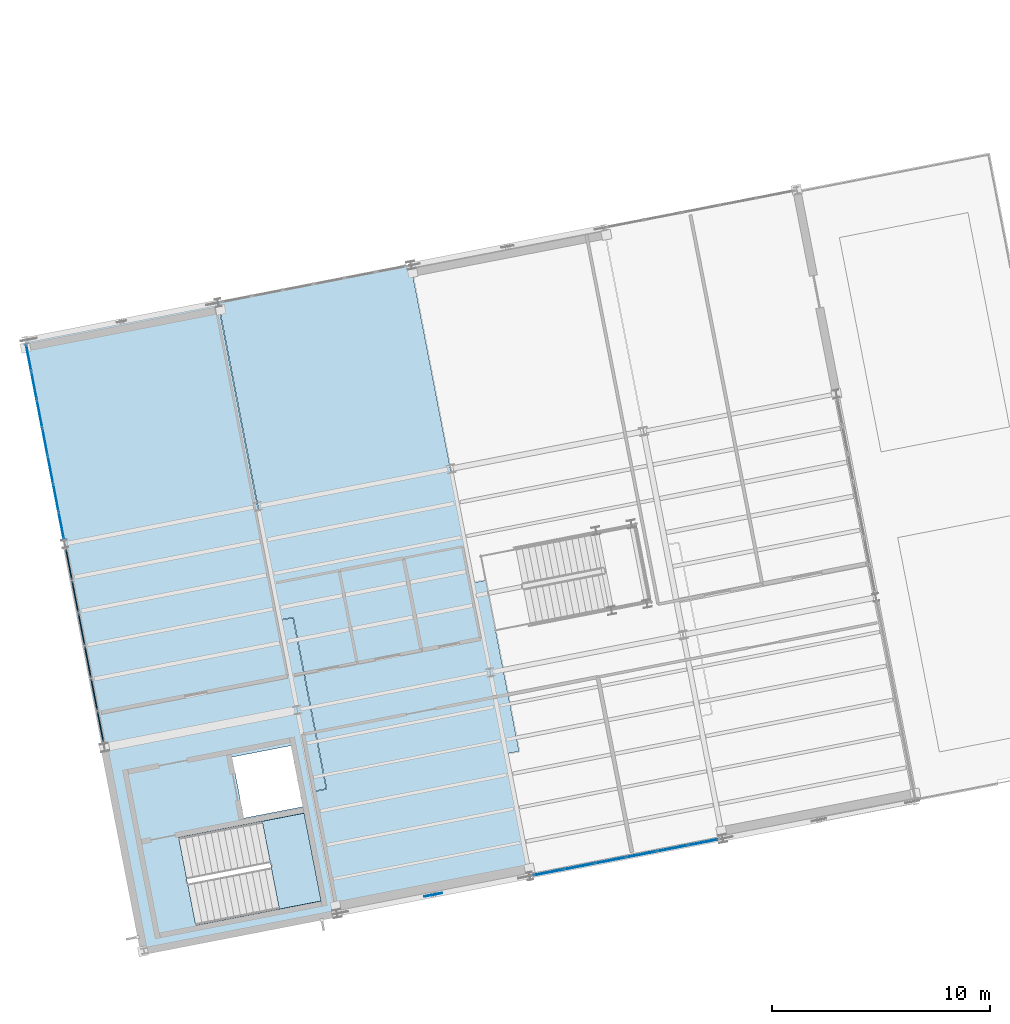
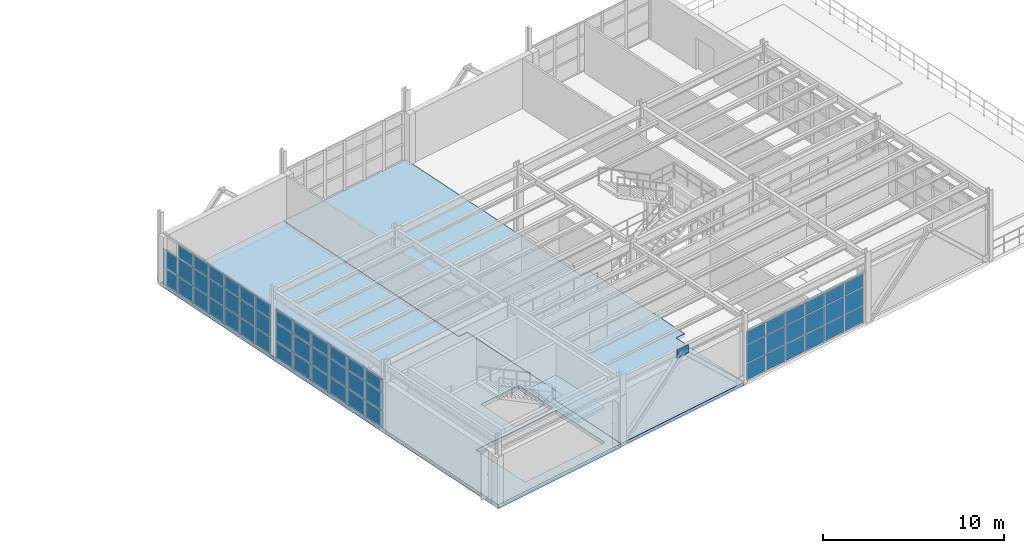
# One storey, part 64 of 109: 57 plates, 3 slabs, 4 elements without a shape of their own.
"""IFC4 building model written with IfcOpenShell, lengths in metres."""

from ifc_helpers import new_model, si_unit, direction, frame, origin, origin_2d, place, context, subcontext, project, spatial, polyline, rectangle, outline, extrude, material, layer, layer_set, type_object, element, aggregate, save


model = new_model("IFC4")

# Units and contexts
model_context = context("Model", 3, precision=1e-05, world=origin(), true_north=direction((0.0, 1.0)))
body_context = subcontext(model_context, "Body", "Model", "MODEL_VIEW")
ifc_project = project(units=[si_unit("LENGTHUNIT", "METRE"), si_unit("AREAUNIT", "SQUARE_METRE"), si_unit("VOLUMEUNIT", "CUBIC_METRE"), si_unit("PLANEANGLEUNIT", "RADIAN"), si_unit("MASSUNIT", "GRAM", prefix="KILO")], contexts=[model_context])

# Site, building, storey
site_placement = place(None, origin())
site = spatial("IfcSite", under=ifc_project, at=site_placement, CompositionType="ELEMENT")
building_placement = place(site_placement, origin())
building = spatial("IfcBuilding", under=site, at=building_placement, Name="Vireo Bluff Cable Station", CompositionType="ELEMENT")
storey_placement = place(building_placement, frame((0.0, 0.0, 4.800048828125)))
storey = spatial("IfcBuildingStorey", under=building, at=storey_placement, Name="L01", CompositionType="ELEMENT", Elevation=4.800048828125)

# Curtain wall, plates
ifc_material_1 = material(Name="Anodized Aluminium 6063-T6", Category="aluminium")
ifc_layer_1 = layer(ifc_material_1, 0.179931640625, Name="Anodized Aluminium 6063-T6")
ifc_layer_set_1 = layer_set([ifc_layer_1], Name="Anodized Aluminium 6063-T6")
curtain_wall_type_1 = type_object("IfcCurtainWallType", Name="CW-UNIT-1400", PredefinedType="USERDEFINED", material=ifc_layer_set_1)
curtain_wall_1_placement = place(storey_placement, origin())
curtain_wall_1 = element("IfcCurtainWall", 1, at=curtain_wall_1_placement, inside=storey, type_object=curtain_wall_type_1, Name="V5 L01 west curtain wall CW-120", ObjectType="UNITISED CURTAIN WALL", PredefinedType="USERDEFINED")
ifc_material_2 = material(Name="Laminated Low-E Insulated Glass", Category="glass")
ifc_layer_2 = layer(ifc_material_2, 0.028076171875, Name="Laminated Low-E Insulated Glass")
ifc_layer_set_2 = layer_set([ifc_layer_2], Name="Laminated Low-E Insulated Glass")
plate_type_1 = type_object("IfcPlateType", Name="CWP-28-1", PredefinedType="CURTAIN_PANEL", material=ifc_layer_set_2)
plate_1_placement = place(storey_placement, frame((5.711669921875, 24.9892578125, 0.06494140625), z_axis=(0.0, 0.0, 1.0), x_axis=(-0.190808999917, 0.981627182565, 0.0)))
plate_1 = element("IfcPlate", 2, at=plate_1_placement, type_object=plate_type_1, Name="CW-120 panel 1.1", PredefinedType="CURTAIN_PANEL", context=body_context, shape_type="SweptSolid", body=[
    extrude(rectangle(XDim=1.2109375, YDim=0.028076171875, at=origin_2d()), origin(), (0.0, 0.0, 1.0), 1.092529296875),
])
plate_2_placement = place(storey_placement, frame((5.711669921875, 24.9892578125, 1.22216796875), z_axis=(0.0, 0.0, 1.0), x_axis=(-0.190808999917, 0.981627182565, 0.0)))
plate_2 = element("IfcPlate", 3, at=plate_2_placement, type_object=plate_type_1, Name="CW-120 panel 1.2", PredefinedType="CURTAIN_PANEL", context=body_context, shape_type="SweptSolid", body=[
    extrude(rectangle(XDim=1.2109375, YDim=0.028076171875, at=origin_2d()), origin(), (0.0, 0.0, 1.0), 1.193115234375),
])
plate_3_placement = place(storey_placement, frame((5.711669921875, 24.9892578125, 2.48046875), z_axis=(0.0, 0.0, 1.0), x_axis=(-0.190808999917, 0.981627182565, 0.0)))
plate_3 = element("IfcPlate", 4, at=plate_3_placement, type_object=plate_type_1, Name="CW-120 panel 1.3", PredefinedType="CURTAIN_PANEL", context=body_context, shape_type="SweptSolid", body=[
    extrude(rectangle(XDim=1.2109375, YDim=0.028076171875, at=origin_2d()), origin(), (0.0, 0.0, 1.0), 0.8544921875),
])
plate_4_placement = place(storey_placement, frame((5.465087890625, 26.2578125, 0.06494140625), z_axis=(0.0, 0.0, 1.0), x_axis=(-0.190808999917, 0.981627182565, 0.0)))
plate_4 = element("IfcPlate", 5, at=plate_4_placement, type_object=plate_type_1, Name="CW-120 panel 2.1", PredefinedType="CURTAIN_PANEL", context=body_context, shape_type="SweptSolid", body=[
    extrude(rectangle(XDim=1.243408203125, YDim=0.028076171875, at=origin_2d()), origin(), (0.0, 0.0, 1.0), 1.092529296875),
])
plate_5_placement = place(storey_placement, frame((5.465087890625, 26.2578125, 1.22216796875), z_axis=(0.0, 0.0, 1.0), x_axis=(-0.190808999917, 0.981627182565, 0.0)))
plate_5 = element("IfcPlate", 6, at=plate_5_placement, type_object=plate_type_1, Name="CW-120 panel 2.2", PredefinedType="CURTAIN_PANEL", context=body_context, shape_type="SweptSolid", body=[
    extrude(rectangle(XDim=1.243408203125, YDim=0.028076171875, at=origin_2d()), origin(), (0.0, 0.0, 1.0), 1.193115234375),
])
plate_6_placement = place(storey_placement, frame((5.465087890625, 26.2578125, 2.48046875), z_axis=(0.0, 0.0, 1.0), x_axis=(-0.190808999917, 0.981627182565, 0.0)))
plate_6 = element("IfcPlate", 7, at=plate_6_placement, type_object=plate_type_1, Name="CW-120 panel 2.3", PredefinedType="CURTAIN_PANEL", context=body_context, shape_type="SweptSolid", body=[
    extrude(rectangle(XDim=1.243408203125, YDim=0.028076171875, at=origin_2d()), origin(), (0.0, 0.0, 1.0), 0.8544921875),
])
plate_7_placement = place(storey_placement, frame((5.21533203125, 27.542236328125, 0.06494140625), z_axis=(0.0, 0.0, 1.0), x_axis=(-0.190808999917, 0.981627182565, 0.0)))
plate_7 = element("IfcPlate", 8, at=plate_7_placement, type_object=plate_type_1, Name="CW-120 panel 3.1", PredefinedType="CURTAIN_PANEL", context=body_context, shape_type="SweptSolid", body=[
    extrude(rectangle(XDim=1.243408203125, YDim=0.028076171875, at=origin_2d()), origin(), (0.0, 0.0, 1.0), 1.092529296875),
])
plate_8_placement = place(storey_placement, frame((5.21533203125, 27.542236328125, 1.22216796875), z_axis=(0.0, 0.0, 1.0), x_axis=(-0.190808999917, 0.981627182565, 0.0)))
plate_8 = element("IfcPlate", 9, at=plate_8_placement, type_object=plate_type_1, Name="CW-120 panel 3.2", PredefinedType="CURTAIN_PANEL", context=body_context, shape_type="SweptSolid", body=[
    extrude(rectangle(XDim=1.243408203125, YDim=0.028076171875, at=origin_2d()), origin(), (0.0, 0.0, 1.0), 1.193115234375),
])
plate_9_placement = place(storey_placement, frame((5.21533203125, 27.542236328125, 2.48046875), z_axis=(0.0, 0.0, 1.0), x_axis=(-0.190808999917, 0.981627182565, 0.0)))
plate_9 = element("IfcPlate", 10, at=plate_9_placement, type_object=plate_type_1, Name="CW-120 panel 3.3", PredefinedType="CURTAIN_PANEL", context=body_context, shape_type="SweptSolid", body=[
    extrude(rectangle(XDim=1.243408203125, YDim=0.028076171875, at=origin_2d()), origin(), (0.0, 0.0, 1.0), 0.8544921875),
])
plate_10_placement = place(storey_placement, frame((4.9658203125, 28.82666015625, 0.06494140625), z_axis=(0.0, 0.0, 1.0), x_axis=(-0.190808999917, 0.981627182565, 0.0)))
plate_10 = element("IfcPlate", 11, at=plate_10_placement, type_object=plate_type_1, Name="CW-120 panel 4.1", PredefinedType="CURTAIN_PANEL", context=body_context, shape_type="SweptSolid", body=[
    extrude(rectangle(XDim=1.243408203125, YDim=0.028076171875, at=origin_2d()), origin(), (0.0, 0.0, 1.0), 1.092529296875),
])
plate_11_placement = place(storey_placement, frame((4.9658203125, 28.82666015625, 1.22216796875), z_axis=(0.0, 0.0, 1.0), x_axis=(-0.190808999917, 0.981627182565, 0.0)))
plate_11 = element("IfcPlate", 12, at=plate_11_placement, type_object=plate_type_1, Name="CW-120 panel 4.2", PredefinedType="CURTAIN_PANEL", context=body_context, shape_type="SweptSolid", body=[
    extrude(rectangle(XDim=1.243408203125, YDim=0.028076171875, at=origin_2d()), origin(), (0.0, 0.0, 1.0), 1.193115234375),
])
plate_12_placement = place(storey_placement, frame((4.9658203125, 28.82666015625, 2.48046875), z_axis=(0.0, 0.0, 1.0), x_axis=(-0.190808999917, 0.981627182565, 0.0)))
plate_12 = element("IfcPlate", 13, at=plate_12_placement, type_object=plate_type_1, Name="CW-120 panel 4.3", PredefinedType="CURTAIN_PANEL", context=body_context, shape_type="SweptSolid", body=[
    extrude(rectangle(XDim=1.243408203125, YDim=0.028076171875, at=origin_2d()), origin(), (0.0, 0.0, 1.0), 0.8544921875),
])
plate_13_placement = place(storey_placement, frame((4.716064453125, 30.111083984375, 0.06494140625), z_axis=(0.0, 0.0, 1.0), x_axis=(-0.190808999917, 0.981627182565, 0.0)))
plate_13 = element("IfcPlate", 14, at=plate_13_placement, type_object=plate_type_1, Name="CW-120 panel 5.1", PredefinedType="CURTAIN_PANEL", context=body_context, shape_type="SweptSolid", body=[
    extrude(rectangle(XDim=1.243408203125, YDim=0.028076171875, at=origin_2d()), origin(), (0.0, 0.0, 1.0), 1.092529296875),
])
plate_14_placement = place(storey_placement, frame((4.716064453125, 30.111083984375, 1.22216796875), z_axis=(0.0, 0.0, 1.0), x_axis=(-0.190808999917, 0.981627182565, 0.0)))
plate_14 = element("IfcPlate", 15, at=plate_14_placement, type_object=plate_type_1, Name="CW-120 panel 5.2", PredefinedType="CURTAIN_PANEL", context=body_context, shape_type="SweptSolid", body=[
    extrude(rectangle(XDim=1.243408203125, YDim=0.028076171875, at=origin_2d()), origin(), (0.0, 0.0, 1.0), 1.193115234375),
])
plate_15_placement = place(storey_placement, frame((4.716064453125, 30.111083984375, 2.48046875), z_axis=(0.0, 0.0, 1.0), x_axis=(-0.190808999917, 0.981627182565, 0.0)))
plate_15 = element("IfcPlate", 16, at=plate_15_placement, type_object=plate_type_1, Name="CW-120 panel 5.3", PredefinedType="CURTAIN_PANEL", context=body_context, shape_type="SweptSolid", body=[
    extrude(rectangle(XDim=1.243408203125, YDim=0.028076171875, at=origin_2d()), origin(), (0.0, 0.0, 1.0), 0.8544921875),
])
plate_16_placement = place(storey_placement, frame((4.46630859375, 31.3955078125, 0.06494140625), z_axis=(0.0, 0.0, 1.0), x_axis=(-0.190808999917, 0.981627182565, 0.0)))
plate_16 = element("IfcPlate", 17, at=plate_16_placement, type_object=plate_type_1, Name="CW-120 panel 6.1", PredefinedType="CURTAIN_PANEL", context=body_context, shape_type="SweptSolid", body=[
    extrude(rectangle(XDim=1.243408203125, YDim=0.028076171875, at=origin_2d()), origin(), (0.0, 0.0, 1.0), 1.092529296875),
])
plate_17_placement = place(storey_placement, frame((4.46630859375, 31.3955078125, 1.22216796875), z_axis=(0.0, 0.0, 1.0), x_axis=(-0.190808999917, 0.981627182565, 0.0)))
plate_17 = element("IfcPlate", 18, at=plate_17_placement, type_object=plate_type_1, Name="CW-120 panel 6.2", PredefinedType="CURTAIN_PANEL", context=body_context, shape_type="SweptSolid", body=[
    extrude(rectangle(XDim=1.243408203125, YDim=0.028076171875, at=origin_2d()), origin(), (0.0, 0.0, 1.0), 1.193115234375),
])
plate_18_placement = place(storey_placement, frame((4.46630859375, 31.3955078125, 2.48046875), z_axis=(0.0, 0.0, 1.0), x_axis=(-0.190808999917, 0.981627182565, 0.0)))
plate_18 = element("IfcPlate", 19, at=plate_18_placement, type_object=plate_type_1, Name="CW-120 panel 6.3", PredefinedType="CURTAIN_PANEL", context=body_context, shape_type="SweptSolid", body=[
    extrude(rectangle(XDim=1.243408203125, YDim=0.028076171875, at=origin_2d()), origin(), (0.0, 0.0, 1.0), 0.8544921875),
])
plate_19_placement = place(storey_placement, frame((4.2197265625, 32.6640625, 0.06494140625), z_axis=(0.0, 0.0, 1.0), x_axis=(-0.190808999917, 0.981627182565, 0.0)))
plate_19 = element("IfcPlate", 20, at=plate_19_placement, type_object=plate_type_1, Name="CW-120 panel 7.1", PredefinedType="CURTAIN_PANEL", context=body_context, shape_type="SweptSolid", body=[
    extrude(rectangle(XDim=1.2109375, YDim=0.028076171875, at=origin_2d()), origin(), (0.0, 0.0, 1.0), 1.092529296875),
])
plate_20_placement = place(storey_placement, frame((4.2197265625, 32.6640625, 1.22216796875), z_axis=(0.0, 0.0, 1.0), x_axis=(-0.190808999917, 0.981627182565, 0.0)))
plate_20 = element("IfcPlate", 21, at=plate_20_placement, type_object=plate_type_1, Name="CW-120 panel 7.2", PredefinedType="CURTAIN_PANEL", context=body_context, shape_type="SweptSolid", body=[
    extrude(rectangle(XDim=1.2109375, YDim=0.028076171875, at=origin_2d()), origin(), (0.0, 0.0, 1.0), 1.193115234375),
])
aggregate(curtain_wall_1, [plate_1, plate_2, plate_3, plate_4, plate_5, plate_6, plate_7, plate_8, plate_9, plate_10, plate_11, plate_12, plate_13, plate_14, plate_15, plate_16, plate_17, plate_18, plate_19, plate_20])

ifc_layer_3 = layer(ifc_material_1, 0.179931640625, Name="Anodized Aluminium 6063-T6")
ifc_layer_set_3 = layer_set([ifc_layer_3], Name="Anodized Aluminium 6063-T6")
curtain_wall_type_2 = type_object("IfcCurtainWallType", Name="CW-UNIT-1500", PredefinedType="USERDEFINED", material=ifc_layer_set_3)
curtain_wall_2_placement = place(storey_placement, origin())
curtain_wall_2 = element("IfcCurtainWall", 22, at=curtain_wall_2_placement, inside=storey, type_object=curtain_wall_type_2, Name="V5 L01 south curtain wall CW-118", ObjectType="UNITISED CURTAIN WALL", PredefinedType="USERDEFINED")
ifc_material_3 = material(Name="Insulated Spandrel Glass Panel", Category="glass")
ifc_layer_4 = layer(ifc_material_3, 0.0419921875, Name="Insulated Spandrel Glass Panel")
ifc_layer_set_4 = layer_set([ifc_layer_4], Name="Insulated Spandrel Glass Panel")
plate_type_2 = type_object("IfcPlateType", Name="CWP-42-4", PredefinedType="CURTAIN_PANEL", material=ifc_layer_set_4)
plate_21_placement = place(storey_placement, frame((35.095458984375, 10.475341796875, 0.059814453125), z_axis=(0.0, 0.0, 1.0), x_axis=(-0.981627163999, -0.190809095431, 0.0)))
plate_21 = element("IfcPlate", 23, at=plate_21_placement, type_object=plate_type_2, Name="CW-118 panel 1.1", PredefinedType="CURTAIN_PANEL", context=body_context, shape_type="SweptSolid", body=[
    extrude(rectangle(XDim=1.357177734375, YDim=0.0419921875, at=origin_2d()), origin(), (0.0, 0.0, 1.0), 1.10009765625),
])
plate_22_placement = place(storey_placement, frame((35.095458984375, 10.475341796875, 1.2197265625), z_axis=(0.0, 0.0, 1.0), x_axis=(-0.981627163999, -0.190809095431, 0.0)))
plate_22 = element("IfcPlate", 24, at=plate_22_placement, type_object=plate_type_2, Name="CW-118 panel 1.2", PredefinedType="CURTAIN_PANEL", context=body_context, shape_type="SweptSolid", body=[
    extrude(rectangle(XDim=1.357177734375, YDim=0.0419921875, at=origin_2d()), origin(), (0.0, 0.0, 1.0), 1.197998046875),
])
plate_23_placement = place(storey_placement, frame((35.095458984375, 10.475341796875, 2.47802734375), z_axis=(0.0, 0.0, 1.0), x_axis=(-0.981627163999, -0.190809095431, 0.0)))
plate_23 = element("IfcPlate", 25, at=plate_23_placement, type_object=plate_type_2, Name="CW-118 panel 1.3", PredefinedType="CURTAIN_PANEL", context=body_context, shape_type="SweptSolid", body=[
    extrude(rectangle(XDim=1.357177734375, YDim=0.0419921875, at=origin_2d()), origin(), (0.0, 0.0, 1.0), 0.862060546875),
])
plate_24_placement = place(storey_placement, frame((33.689697265625, 10.201904296875, 0.059814453125), z_axis=(0.0, 0.0, 1.0), x_axis=(-0.981627163999, -0.190809095431, 0.0)))
plate_24 = element("IfcPlate", 26, at=plate_24_placement, type_object=plate_type_2, Name="CW-118 panel 2.1", PredefinedType="CURTAIN_PANEL", context=body_context, shape_type="SweptSolid", body=[
    extrude(rectangle(XDim=1.386962890625, YDim=0.0419921875, at=origin_2d()), origin(), (0.0, 0.0, 1.0), 1.10009765625),
])
plate_25_placement = place(storey_placement, frame((33.689697265625, 10.201904296875, 1.2197265625), z_axis=(0.0, 0.0, 1.0), x_axis=(-0.981627163999, -0.190809095431, 0.0)))
plate_25 = element("IfcPlate", 27, at=plate_25_placement, type_object=plate_type_2, Name="CW-118 panel 2.2", PredefinedType="CURTAIN_PANEL", context=body_context, shape_type="SweptSolid", body=[
    extrude(rectangle(XDim=1.386962890625, YDim=0.0419921875, at=origin_2d()), origin(), (0.0, 0.0, 1.0), 1.197998046875),
])
plate_26_placement = place(storey_placement, frame((33.689697265625, 10.201904296875, 2.47802734375), z_axis=(0.0, 0.0, 1.0), x_axis=(-0.981627163999, -0.190809095431, 0.0)))
plate_26 = element("IfcPlate", 28, at=plate_26_placement, type_object=plate_type_2, Name="CW-118 panel 2.3", PredefinedType="CURTAIN_PANEL", context=body_context, shape_type="SweptSolid", body=[
    extrude(rectangle(XDim=1.386962890625, YDim=0.0419921875, at=origin_2d()), origin(), (0.0, 0.0, 1.0), 0.862060546875),
])
plate_27_placement = place(storey_placement, frame((32.26904296875, 9.92578125, 0.059814453125), z_axis=(0.0, 0.0, 1.0), x_axis=(-0.981627163999, -0.190809095431, 0.0)))
plate_27 = element("IfcPlate", 29, at=plate_27_placement, type_object=plate_type_2, Name="CW-118 panel 3.1", PredefinedType="CURTAIN_PANEL", context=body_context, shape_type="SweptSolid", body=[
    extrude(rectangle(XDim=1.386962890625, YDim=0.0419921875, at=origin_2d()), origin(), (0.0, 0.0, 1.0), 1.10009765625),
])
plate_28_placement = place(storey_placement, frame((32.26904296875, 9.92578125, 1.2197265625), z_axis=(0.0, 0.0, 1.0), x_axis=(-0.981627163999, -0.190809095431, 0.0)))
plate_28 = element("IfcPlate", 30, at=plate_28_placement, type_object=plate_type_2, Name="CW-118 panel 3.2", PredefinedType="CURTAIN_PANEL", context=body_context, shape_type="SweptSolid", body=[
    extrude(rectangle(XDim=1.386962890625, YDim=0.0419921875, at=origin_2d()), origin(), (0.0, 0.0, 1.0), 1.197998046875),
])
plate_29_placement = place(storey_placement, frame((32.26904296875, 9.92578125, 2.47802734375), z_axis=(0.0, 0.0, 1.0), x_axis=(-0.981627163999, -0.190809095431, 0.0)))
plate_29 = element("IfcPlate", 31, at=plate_29_placement, type_object=plate_type_2, Name="CW-118 panel 3.3", PredefinedType="CURTAIN_PANEL", context=body_context, shape_type="SweptSolid", body=[
    extrude(rectangle(XDim=1.386962890625, YDim=0.0419921875, at=origin_2d()), origin(), (0.0, 0.0, 1.0), 0.862060546875),
])
plate_30_placement = place(storey_placement, frame((30.8486328125, 9.649658203125, 0.059814453125), z_axis=(0.0, 0.0, 1.0), x_axis=(-0.981627163999, -0.190809095431, 0.0)))
plate_30 = element("IfcPlate", 32, at=plate_30_placement, type_object=plate_type_2, Name="CW-118 panel 4.1", PredefinedType="CURTAIN_PANEL", context=body_context, shape_type="SweptSolid", body=[
    extrude(rectangle(XDim=1.386962890625, YDim=0.0419921875, at=origin_2d()), origin(), (0.0, 0.0, 1.0), 1.10009765625),
])
plate_31_placement = place(storey_placement, frame((30.8486328125, 9.649658203125, 1.2197265625), z_axis=(0.0, 0.0, 1.0), x_axis=(-0.981627163999, -0.190809095431, 0.0)))
plate_31 = element("IfcPlate", 33, at=plate_31_placement, type_object=plate_type_2, Name="CW-118 panel 4.2", PredefinedType="CURTAIN_PANEL", context=body_context, shape_type="SweptSolid", body=[
    extrude(rectangle(XDim=1.386962890625, YDim=0.0419921875, at=origin_2d()), origin(), (0.0, 0.0, 1.0), 1.197998046875),
])
plate_32_placement = place(storey_placement, frame((30.8486328125, 9.649658203125, 2.47802734375), z_axis=(0.0, 0.0, 1.0), x_axis=(-0.981627163999, -0.190809095431, 0.0)))
plate_32 = element("IfcPlate", 34, at=plate_32_placement, type_object=plate_type_2, Name="CW-118 panel 4.3", PredefinedType="CURTAIN_PANEL", context=body_context, shape_type="SweptSolid", body=[
    extrude(rectangle(XDim=1.386962890625, YDim=0.0419921875, at=origin_2d()), origin(), (0.0, 0.0, 1.0), 0.862060546875),
])
plate_33_placement = place(storey_placement, frame((29.42822265625, 9.37353515625, 0.059814453125), z_axis=(0.0, 0.0, 1.0), x_axis=(-0.981627163999, -0.190809095431, 0.0)))
plate_33 = element("IfcPlate", 35, at=plate_33_placement, type_object=plate_type_2, Name="CW-118 panel 5.1", PredefinedType="CURTAIN_PANEL", context=body_context, shape_type="SweptSolid", body=[
    extrude(rectangle(XDim=1.386962890625, YDim=0.0419921875, at=origin_2d()), origin(), (0.0, 0.0, 1.0), 1.10009765625),
])
plate_34_placement = place(storey_placement, frame((29.42822265625, 9.37353515625, 1.2197265625), z_axis=(0.0, 0.0, 1.0), x_axis=(-0.981627163999, -0.190809095431, 0.0)))
plate_34 = element("IfcPlate", 36, at=plate_34_placement, type_object=plate_type_2, Name="CW-118 panel 5.2", PredefinedType="CURTAIN_PANEL", context=body_context, shape_type="SweptSolid", body=[
    extrude(rectangle(XDim=1.386962890625, YDim=0.0419921875, at=origin_2d()), origin(), (0.0, 0.0, 1.0), 1.197998046875),
])
plate_35_placement = place(storey_placement, frame((29.42822265625, 9.37353515625, 2.47802734375), z_axis=(0.0, 0.0, 1.0), x_axis=(-0.981627163999, -0.190809095431, 0.0)))
plate_35 = element("IfcPlate", 37, at=plate_35_placement, type_object=plate_type_2, Name="CW-118 panel 5.3", PredefinedType="CURTAIN_PANEL", context=body_context, shape_type="SweptSolid", body=[
    extrude(rectangle(XDim=1.386962890625, YDim=0.0419921875, at=origin_2d()), origin(), (0.0, 0.0, 1.0), 0.862060546875),
])
plate_36_placement = place(storey_placement, frame((28.0224609375, 9.100341796875, 0.059814453125), z_axis=(0.0, 0.0, 1.0), x_axis=(-0.981627163999, -0.190809095431, 0.0)))
plate_36 = element("IfcPlate", 38, at=plate_36_placement, type_object=plate_type_2, Name="CW-118 panel 6.1", PredefinedType="CURTAIN_PANEL", context=body_context, shape_type="SweptSolid", body=[
    extrude(rectangle(XDim=1.357177734375, YDim=0.0419921875, at=origin_2d()), origin(), (0.0, 0.0, 1.0), 1.10009765625),
])
plate_37_placement = place(storey_placement, frame((28.0224609375, 9.100341796875, 1.2197265625), z_axis=(0.0, 0.0, 1.0), x_axis=(-0.981627163999, -0.190809095431, 0.0)))
plate_37 = element("IfcPlate", 39, at=plate_37_placement, type_object=plate_type_2, Name="CW-118 panel 6.2", PredefinedType="CURTAIN_PANEL", context=body_context, shape_type="SweptSolid", body=[
    extrude(rectangle(XDim=1.357177734375, YDim=0.0419921875, at=origin_2d()), origin(), (0.0, 0.0, 1.0), 1.197998046875),
])
plate_38_placement = place(storey_placement, frame((28.0224609375, 9.100341796875, 2.47802734375), z_axis=(0.0, 0.0, 1.0), x_axis=(-0.981627163999, -0.190809095431, 0.0)))
plate_38 = element("IfcPlate", 40, at=plate_38_placement, type_object=plate_type_2, Name="CW-118 panel 6.3", PredefinedType="CURTAIN_PANEL", context=body_context, shape_type="SweptSolid", body=[
    extrude(rectangle(XDim=1.357177734375, YDim=0.0419921875, at=origin_2d()), origin(), (0.0, 0.0, 1.0), 0.862060546875),
])
aggregate(curtain_wall_2, [plate_21, plate_22, plate_23, plate_24, plate_25, plate_26, plate_27, plate_28, plate_29, plate_30, plate_31, plate_32, plate_33, plate_34, plate_35, plate_36, plate_37, plate_38])

ifc_layer_5 = layer(ifc_material_1, 0.179931640625, Name="Anodized Aluminium 6063-T6")
ifc_layer_set_5 = layer_set([ifc_layer_5], Name="Anodized Aluminium 6063-T6")
curtain_wall_type_3 = type_object("IfcCurtainWallType", Name="CW-UNIT-1650", PredefinedType="USERDEFINED", material=ifc_layer_set_5)
curtain_wall_3_placement = place(storey_placement, origin())
curtain_wall_3 = element("IfcCurtainWall", 41, at=curtain_wall_3_placement, inside=storey, type_object=curtain_wall_type_3, Name="V5 L01 west curtain wall CW-119", ObjectType="UNITISED CURTAIN WALL", PredefinedType="USERDEFINED")
ifc_layer_6 = layer(ifc_material_3, 0.048095703125, Name="Insulated Spandrel Glass Panel")
ifc_layer_set_6 = layer_set([ifc_layer_6], Name="Insulated Spandrel Glass Panel")
plate_type_3 = type_object("IfcPlateType", Name="CWP-48-5", PredefinedType="CURTAIN_PANEL", material=ifc_layer_set_6)
plate_39_placement = place(storey_placement, frame((7.50341796875, 15.77099609375, 0.080078125), z_axis=(0.0, 0.0, 1.0), x_axis=(-0.190808904231, 0.981627201165, 0.0)))
plate_39 = element("IfcPlate", 42, at=plate_39_placement, type_object=plate_type_3, Name="CW-119 panel 1.1", PredefinedType="CURTAIN_PANEL", context=body_context, shape_type="SweptSolid", body=[
    extrude(rectangle(XDim=1.40234375, YDim=0.048095703125, at=origin_2d()), origin(), (0.0, 0.0, 1.0), 1.070068359375),
])
plate_40_placement = place(storey_placement, frame((7.50341796875, 15.77099609375, 1.22998046875), z_axis=(0.0, 0.0, 1.0), x_axis=(-0.190808904231, 0.981627201165, 0.0)))
plate_40 = element("IfcPlate", 43, at=plate_40_placement, type_object=plate_type_3, Name="CW-119 panel 1.2", PredefinedType="CURTAIN_PANEL", context=body_context, shape_type="SweptSolid", body=[
    extrude(rectangle(XDim=1.40234375, YDim=0.048095703125, at=origin_2d()), origin(), (0.0, 0.0, 1.0), 1.177978515625),
])
plate_41_placement = place(storey_placement, frame((7.50341796875, 15.77099609375, 2.488037109375), z_axis=(0.0, 0.0, 1.0), x_axis=(-0.190808904231, 0.981627201165, 0.0)))
plate_41 = element("IfcPlate", 44, at=plate_41_placement, type_object=plate_type_3, Name="CW-119 panel 1.3", PredefinedType="CURTAIN_PANEL", context=body_context, shape_type="SweptSolid", body=[
    extrude(rectangle(XDim=1.40234375, YDim=0.048095703125, at=origin_2d()), origin(), (0.0, 0.0, 1.0), 0.83203125),
])
plate_42_placement = place(storey_placement, frame((7.216796875, 17.245849609375, 0.080078125), z_axis=(0.0, 0.0, 1.0), x_axis=(-0.190808904231, 0.981627201165, 0.0)))
plate_42 = element("IfcPlate", 45, at=plate_42_placement, type_object=plate_type_3, Name="CW-119 panel 2.1", PredefinedType="CURTAIN_PANEL", context=body_context, shape_type="SweptSolid", body=[
    extrude(rectangle(XDim=1.4423828125, YDim=0.048095703125, at=origin_2d()), origin(), (0.0, 0.0, 1.0), 1.070068359375),
])
plate_43_placement = place(storey_placement, frame((7.216796875, 17.245849609375, 1.22998046875), z_axis=(0.0, 0.0, 1.0), x_axis=(-0.190808904231, 0.981627201165, 0.0)))
plate_43 = element("IfcPlate", 46, at=plate_43_placement, type_object=plate_type_3, Name="CW-119 panel 2.2", PredefinedType="CURTAIN_PANEL", context=body_context, shape_type="SweptSolid", body=[
    extrude(rectangle(XDim=1.4423828125, YDim=0.048095703125, at=origin_2d()), origin(), (0.0, 0.0, 1.0), 1.177978515625),
])
plate_44_placement = place(storey_placement, frame((7.216796875, 17.245849609375, 2.488037109375), z_axis=(0.0, 0.0, 1.0), x_axis=(-0.190808904231, 0.981627201165, 0.0)))
plate_44 = element("IfcPlate", 47, at=plate_44_placement, type_object=plate_type_3, Name="CW-119 panel 2.3", PredefinedType="CURTAIN_PANEL", context=body_context, shape_type="SweptSolid", body=[
    extrude(rectangle(XDim=1.4423828125, YDim=0.048095703125, at=origin_2d()), origin(), (0.0, 0.0, 1.0), 0.83203125),
])
plate_45_placement = place(storey_placement, frame((6.92626953125, 18.740234375, 0.080078125), z_axis=(0.0, 0.0, 1.0), x_axis=(-0.190808904231, 0.981627201165, 0.0)))
plate_45 = element("IfcPlate", 48, at=plate_45_placement, type_object=plate_type_3, Name="CW-119 panel 3.1", PredefinedType="CURTAIN_PANEL", context=body_context, shape_type="SweptSolid", body=[
    extrude(rectangle(XDim=1.4423828125, YDim=0.048095703125, at=origin_2d()), origin(), (0.0, 0.0, 1.0), 1.070068359375),
])
plate_46_placement = place(storey_placement, frame((6.92626953125, 18.740234375, 1.22998046875), z_axis=(0.0, 0.0, 1.0), x_axis=(-0.190808904231, 0.981627201165, 0.0)))
plate_46 = element("IfcPlate", 49, at=plate_46_placement, type_object=plate_type_3, Name="CW-119 panel 3.2", PredefinedType="CURTAIN_PANEL", context=body_context, shape_type="SweptSolid", body=[
    extrude(rectangle(XDim=1.4423828125, YDim=0.048095703125, at=origin_2d()), origin(), (0.0, 0.0, 1.0), 1.177978515625),
])
plate_47_placement = place(storey_placement, frame((6.92626953125, 18.740234375, 2.488037109375), z_axis=(0.0, 0.0, 1.0), x_axis=(-0.190808904231, 0.981627201165, 0.0)))
plate_47 = element("IfcPlate", 50, at=plate_47_placement, type_object=plate_type_3, Name="CW-119 panel 3.3", PredefinedType="CURTAIN_PANEL", context=body_context, shape_type="SweptSolid", body=[
    extrude(rectangle(XDim=1.4423828125, YDim=0.048095703125, at=origin_2d()), origin(), (0.0, 0.0, 1.0), 0.83203125),
])
plate_48_placement = place(storey_placement, frame((6.635986328125, 20.234619140625, 0.080078125), z_axis=(0.0, 0.0, 1.0), x_axis=(-0.190808904231, 0.981627201165, 0.0)))
plate_48 = element("IfcPlate", 51, at=plate_48_placement, type_object=plate_type_3, Name="CW-119 panel 4.1", PredefinedType="CURTAIN_PANEL", context=body_context, shape_type="SweptSolid", body=[
    extrude(rectangle(XDim=1.4423828125, YDim=0.048095703125, at=origin_2d()), origin(), (0.0, 0.0, 1.0), 1.070068359375),
])
plate_49_placement = place(storey_placement, frame((6.635986328125, 20.234619140625, 1.22998046875), z_axis=(0.0, 0.0, 1.0), x_axis=(-0.190808904231, 0.981627201165, 0.0)))
plate_49 = element("IfcPlate", 52, at=plate_49_placement, type_object=plate_type_3, Name="CW-119 panel 4.2", PredefinedType="CURTAIN_PANEL", context=body_context, shape_type="SweptSolid", body=[
    extrude(rectangle(XDim=1.4423828125, YDim=0.048095703125, at=origin_2d()), origin(), (0.0, 0.0, 1.0), 1.177978515625),
])
plate_50_placement = place(storey_placement, frame((6.635986328125, 20.234619140625, 2.488037109375), z_axis=(0.0, 0.0, 1.0), x_axis=(-0.190808904231, 0.981627201165, 0.0)))
plate_50 = element("IfcPlate", 53, at=plate_50_placement, type_object=plate_type_3, Name="CW-119 panel 4.3", PredefinedType="CURTAIN_PANEL", context=body_context, shape_type="SweptSolid", body=[
    extrude(rectangle(XDim=1.4423828125, YDim=0.048095703125, at=origin_2d()), origin(), (0.0, 0.0, 1.0), 0.83203125),
])
plate_51_placement = place(storey_placement, frame((6.345458984375, 21.72900390625, 0.080078125), z_axis=(0.0, 0.0, 1.0), x_axis=(-0.190808904231, 0.981627201165, 0.0)))
plate_51 = element("IfcPlate", 54, at=plate_51_placement, type_object=plate_type_3, Name="CW-119 panel 5.1", PredefinedType="CURTAIN_PANEL", context=body_context, shape_type="SweptSolid", body=[
    extrude(rectangle(XDim=1.4423828125, YDim=0.048095703125, at=origin_2d()), origin(), (0.0, 0.0, 1.0), 1.070068359375),
])
plate_52_placement = place(storey_placement, frame((6.345458984375, 21.72900390625, 1.22998046875), z_axis=(0.0, 0.0, 1.0), x_axis=(-0.190808904231, 0.981627201165, 0.0)))
plate_52 = element("IfcPlate", 55, at=plate_52_placement, type_object=plate_type_3, Name="CW-119 panel 5.2", PredefinedType="CURTAIN_PANEL", context=body_context, shape_type="SweptSolid", body=[
    extrude(rectangle(XDim=1.4423828125, YDim=0.048095703125, at=origin_2d()), origin(), (0.0, 0.0, 1.0), 1.177978515625),
])
plate_53_placement = place(storey_placement, frame((6.345458984375, 21.72900390625, 2.488037109375), z_axis=(0.0, 0.0, 1.0), x_axis=(-0.190808904231, 0.981627201165, 0.0)))
plate_53 = element("IfcPlate", 56, at=plate_53_placement, type_object=plate_type_3, Name="CW-119 panel 5.3", PredefinedType="CURTAIN_PANEL", context=body_context, shape_type="SweptSolid", body=[
    extrude(rectangle(XDim=1.4423828125, YDim=0.048095703125, at=origin_2d()), origin(), (0.0, 0.0, 1.0), 0.83203125),
])
plate_54_placement = place(storey_placement, frame((6.05859375, 23.203857421875, 0.080078125), z_axis=(0.0, 0.0, 1.0), x_axis=(-0.190808904231, 0.981627201165, 0.0)))
plate_54 = element("IfcPlate", 57, at=plate_54_placement, type_object=plate_type_3, Name="CW-119 panel 6.1", PredefinedType="CURTAIN_PANEL", context=body_context, shape_type="SweptSolid", body=[
    extrude(rectangle(XDim=1.40234375, YDim=0.048095703125, at=origin_2d()), origin(), (0.0, 0.0, 1.0), 1.070068359375),
])
plate_55_placement = place(storey_placement, frame((6.05859375, 23.203857421875, 1.22998046875), z_axis=(0.0, 0.0, 1.0), x_axis=(-0.190808904231, 0.981627201165, 0.0)))
plate_55 = element("IfcPlate", 58, at=plate_55_placement, type_object=plate_type_3, Name="CW-119 panel 6.2", PredefinedType="CURTAIN_PANEL", context=body_context, shape_type="SweptSolid", body=[
    extrude(rectangle(XDim=1.40234375, YDim=0.048095703125, at=origin_2d()), origin(), (0.0, 0.0, 1.0), 1.177978515625),
])
plate_56_placement = place(storey_placement, frame((6.05859375, 23.203857421875, 2.488037109375), z_axis=(0.0, 0.0, 1.0), x_axis=(-0.190808904231, 0.981627201165, 0.0)))
plate_56 = element("IfcPlate", 59, at=plate_56_placement, type_object=plate_type_3, Name="CW-119 panel 6.3", PredefinedType="CURTAIN_PANEL", context=body_context, shape_type="SweptSolid", body=[
    extrude(rectangle(XDim=1.40234375, YDim=0.048095703125, at=origin_2d()), origin(), (0.0, 0.0, 1.0), 0.83203125),
])
aggregate(curtain_wall_3, [plate_39, plate_40, plate_41, plate_42, plate_43, plate_44, plate_45, plate_46, plate_47, plate_48, plate_49, plate_50, plate_51, plate_52, plate_53, plate_54, plate_55, plate_56])

# Slabs
ifc_material_4 = material(Name="Concrete f'c 40 MPa", Category="concrete")
ifc_layer_7 = layer(ifc_material_4, 0.219970703125, Name="Concrete f'c 40 MPa")
ifc_layer_set_7 = layer_set([ifc_layer_7], Name="Concrete f'c 40 MPa")
slab_type_1 = type_object("IfcSlabType", Name="FLOORSLAB-220", PredefinedType="FLOOR", material=ifc_layer_set_7)
slab_1_placement = place(storey_placement, frame((0.0, 0.0, -0.219970703125)))
element("IfcSlab", 60, at=slab_1_placement, inside=storey, type_object=slab_type_1, Name="V5 L01 floor slab bay 2", PredefinedType="FLOOR", context=body_context, shape_type="SweptSolid", body=[
    extrude(outline(polyline([(18.344482421875, 7.21923828125), (27.159423828125, 8.9326171875), (26.07177734375, 14.52783203125), (26.680419921875, 14.646240234375), (25.15771484375, 22.479736328125), (24.54931640625, 22.361328125), (21.721435546875, 36.908935546875), (12.906494140625, 35.195556640625), (15.73046875, 20.66748046875), (16.3388671875, 20.785888671875), (17.869384765625, 12.9130859375), (17.2607421875, 12.794921875), (18.344482421875, 7.21923828125)])), origin(), (0.0, 0.0, 1.0), 0.219970703125),
])
ifc_layer_8 = layer(ifc_material_4, 0.260009765625, Name="Concrete f'c 40 MPa")
ifc_layer_set_8 = layer_set([ifc_layer_8], Name="Concrete f'c 40 MPa")
slab_type_2 = type_object("IfcSlabType", Name="FLOORSLAB-260", PredefinedType="FLOOR", material=ifc_layer_set_8)
slab_2_placement = place(storey_placement, frame((0.0, 0.0, -0.260009765625)))
element("IfcSlab", 61, at=slab_2_placement, inside=storey, type_object=slab_type_2, Name="V5 L01 floor slab bay 1", PredefinedType="FLOOR", context=body_context, shape_type="SweptSolid", body=[
    extrude(outline(polyline([(9.5, 5.5), (18.32470703125, 7.21533203125), (17.2373046875, 12.810546875), (17.845947265625, 12.928955078125), (16.3232421875, 20.762451171875), (15.714599609375, 20.64404296875), (12.88671875, 35.191650390625), (4.06201171875, 33.476318359375), (9.5, 5.5)]), holes=[polyline([(11.8701171875, 6.674560546875), (11.088134765625, 10.69775390625), (16.8291015625, 11.813720703125), (17.611083984375, 7.79052734375), (11.8701171875, 6.674560546875)]), polyline([(14.07373046875, 11.585205078125), (13.5302734375, 14.38134765625), (16.22802734375, 14.90576171875), (16.771484375, 12.109619140625), (14.07373046875, 11.585205078125)])]), origin(), (0.0, 0.0, 1.0), 0.260009765625),
])

# Plate
ifc_material_5 = material(Name="Steel ASTM A572 Gr. 50", Category="steel")
ifc_layer_9 = layer(ifc_material_5, 0.035888671875, Name="Steel ASTM A572 Gr. 50")
ifc_layer_set_9 = layer_set([ifc_layer_9], Name="Steel ASTM A572 Gr. 50")
plate_type_4 = type_object("IfcPlateType", Name="GUSSET-840X580X36", PredefinedType="USERDEFINED", material=ifc_layer_set_9)
plate_57_placement = place(storey_placement, frame((22.751953125, 8.075927734375, 3.889892578125), z_axis=(0.0, 0.0, 1.0), x_axis=(0.981627183448, 0.190808995377, 0.0)))
element("IfcPlate", 62, at=plate_57_placement, inside=storey, type_object=plate_type_4, Name="V5 L01 chevron gusset plate 259", ObjectType="GUSSET PLATE", PredefinedType="USERDEFINED", context=body_context, shape_type="SweptSolid", body=[
    extrude(rectangle(XDim=0.840087890625, YDim=0.035888671875, at=origin_2d()), origin(), (0.0, 0.0, 1.0), 0.580078125),
])

# Stair, slab
stair_type = type_object("IfcStairType", Name="STAIR-HT-1950", PredefinedType="HALF_TURN_STAIR", material=ifc_material_4)
stair_placement = place(storey_placement, origin())
stair = element("IfcStair", 63, at=stair_placement, inside=storey, type_object=stair_type, Name="L01 CORE-5 Exit Stair ST-05", PredefinedType="HALF_TURN_STAIR")
ifc_layer_10 = layer(ifc_material_4, 0.199951171875, Name="Concrete f'c 40 MPa")
ifc_layer_set_10 = layer_set([ifc_layer_10], Name="Concrete f'c 40 MPa")
slab_type_3 = type_object("IfcSlabType", Name="LANDING-200", PredefinedType="LANDING", material=ifc_layer_set_10)
slab_3_placement = place(storey_placement, frame((0.0, 0.0, 2.199951171875)))
slab_3 = element("IfcSlab", 64, at=slab_3_placement, type_object=slab_type_3, Name="ST-05 landing 1", PredefinedType="LANDING", context=body_context, shape_type="SweptSolid", body=[
    extrude(outline(polyline([(15.697265625, 7.417724609375), (17.612060546875, 7.7900390625), (16.829833984375, 11.814697265625), (14.914794921875, 11.4423828125), (15.697265625, 7.417724609375)])), origin(), (0.0, 0.0, 1.0), 0.199951171875),
])
aggregate(stair, [slab_3])

save(model, "model.ifc")
